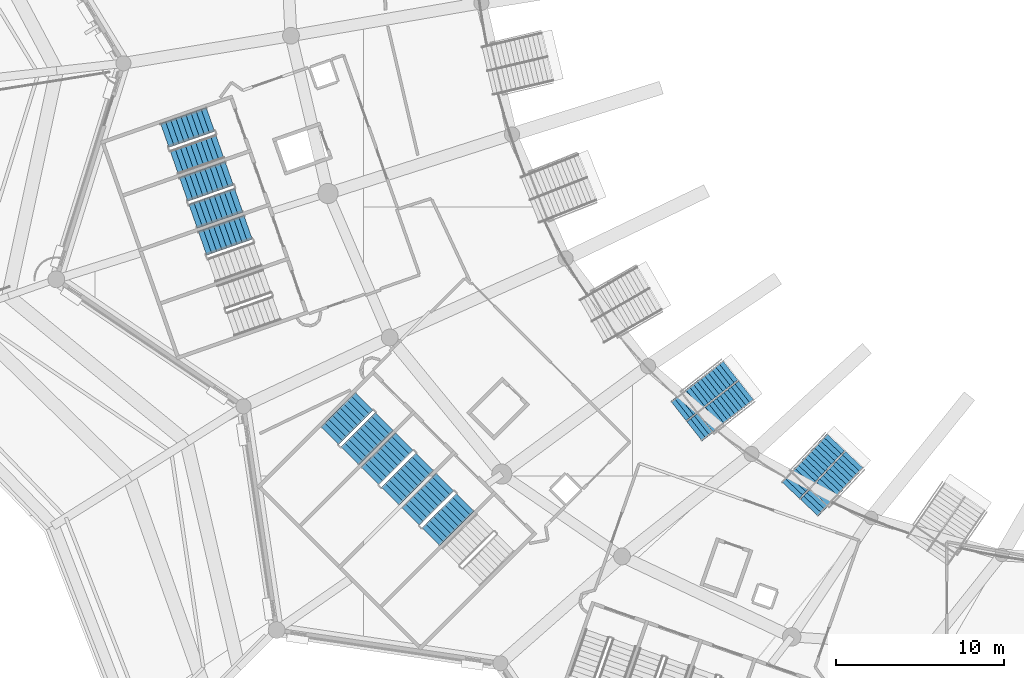
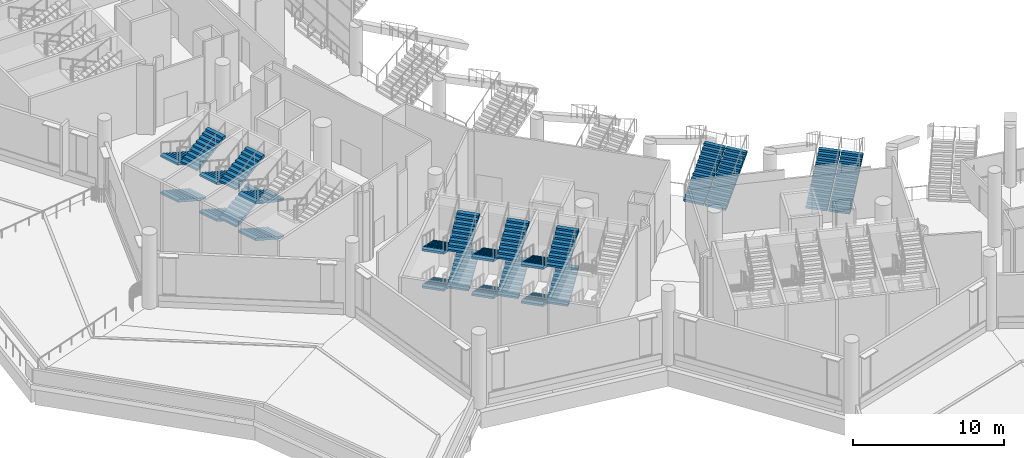
# One storey, part 81 of 173: 25 stair flights, 8 elements without a shape of their own.
"""IFC4 building model written with IfcOpenShell, lengths in metres."""

from ifc_helpers import new_model, si_unit, direction, frame, origin, place, context, subcontext, project, spatial, polyline, outline, extrude, material, type_object, element, aggregate, save


model = new_model("IFC4")

# Units and contexts
model_context = context("Model", 3, precision=1e-05, world=origin(), true_north=direction((0.0, 1.0)))
body_context = subcontext(model_context, "Body", "Model", "MODEL_VIEW")
ifc_project = project(units=[si_unit("LENGTHUNIT", "METRE"), si_unit("AREAUNIT", "SQUARE_METRE"), si_unit("VOLUMEUNIT", "CUBIC_METRE"), si_unit("PLANEANGLEUNIT", "RADIAN"), si_unit("MASSUNIT", "GRAM", prefix="KILO")], contexts=[model_context])

# Site, building, storey
site_placement = place(None, origin())
site = spatial("IfcSite", under=ifc_project, at=site_placement, CompositionType="ELEMENT")
building_placement = place(site_placement, origin())
building = spatial("IfcBuilding", under=site, at=building_placement, Name="Meseta Stadium", CompositionType="ELEMENT")
storey_placement = place(building_placement, frame((0.0, 0.0, 18.0)))
storey = spatial("IfcBuildingStorey", under=building, at=storey_placement, Name="L03", CompositionType="ELEMENT", Elevation=18.0)

# Stair, stair flights
ifc_material_1 = material(Name="Concrete C40/50", Category="concrete")
stair_type_1 = type_object("IfcStairType", Name="Exit stair 4 flights 150 mm risers", PredefinedType="HALF_TURN_STAIR", material=ifc_material_1)
stair_1_placement = place(storey_placement, origin())
stair_1 = element("IfcStair", 1, at=stair_1_placement, inside=storey, type_object=stair_type_1, Name="ST77 L03", PredefinedType="HALF_TURN_STAIR")
ifc_material_2 = material(Name="Concrete C40/50", Category="concrete")
stair_flight_type_1 = type_object("IfcStairFlightType", Name="Exit stair flight 150 mm risers, 4 per storey", PredefinedType="STRAIGHT", material=ifc_material_2)
stair_flight_1_placement = place(storey_placement, frame((-89.118408203125, -58.7841796875, 0.0), z_axis=(0.0, 0.0, 1.0), x_axis=(-0.943883331955, -0.330279057248, 0.0)))
stair_flight_1 = element("IfcStairFlight", 2, at=stair_flight_1_placement, type_object=stair_flight_type_1, Name="ST77 L03 flight 1", NumberOfRisers=10, NumberOfTreads=9, PredefinedType="STRAIGHT", RiserHeight=0.15, TreadLength=0.32, context=body_context, shape_type="SweptSolid", body=[
    extrude(outline(polyline([(0.0, 0.0), (0.0, 0.14990234375), (0.320068359375, 0.14990234375), (0.320068359375, 0.300048828125), (0.639892578125, 0.300048828125), (0.639892578125, 0.449951171875), (0.9599609375, 0.449951171875), (0.9599609375, 0.60009765625), (1.280029296875, 0.60009765625), (1.280029296875, 0.75), (1.60009765625, 0.75), (1.60009765625, 0.89990234375), (1.919921875, 0.89990234375), (1.919921875, 1.050048828125), (2.239990234375, 1.050048828125), (2.239990234375, 1.199951171875), (2.56005859375, 1.199951171875), (2.56005859375, 1.35009765625), (2.8798828125, 1.35009765625), (2.8798828125, 1.184326171875), (0.353271484375, 0.0), (0.0, 0.0)])), frame((0.0, 0.75, 0.0), z_axis=(0.0, -1.0, 0.0), x_axis=(1.0, 0.0, 0.0)), (0.0, 0.0, 1.0), 1.5),
])
stair_flight_2_placement = place(storey_placement, frame((-89.118408203125, -58.7841796875, 3.0), z_axis=(0.0, 0.0, 1.0), x_axis=(-0.943883331955, -0.330279057248, 0.0)))
stair_flight_2 = element("IfcStairFlight", 3, at=stair_flight_2_placement, type_object=stair_flight_type_1, Name="ST77 L03 flight 3", NumberOfRisers=10, NumberOfTreads=9, PredefinedType="STRAIGHT", RiserHeight=0.15, TreadLength=0.32, context=body_context, shape_type="SweptSolid", body=[
    extrude(outline(polyline([(0.0, 0.0), (0.0, 0.14990234375), (0.320068359375, 0.14990234375), (0.320068359375, 0.300048828125), (0.639892578125, 0.300048828125), (0.639892578125, 0.449951171875), (0.9599609375, 0.449951171875), (0.9599609375, 0.60009765625), (1.280029296875, 0.60009765625), (1.280029296875, 0.75), (1.60009765625, 0.75), (1.60009765625, 0.89990234375), (1.919921875, 0.89990234375), (1.919921875, 1.050048828125), (2.239990234375, 1.050048828125), (2.239990234375, 1.199951171875), (2.56005859375, 1.199951171875), (2.56005859375, 1.35009765625), (2.8798828125, 1.35009765625), (2.8798828125, 1.184326171875), (0.353271484375, 0.0), (0.0, 0.0)])), frame((0.0, 0.75, 0.0), z_axis=(0.0, -1.0, 0.0), x_axis=(1.0, 0.0, 0.0)), (0.0, 0.0, 1.0), 1.5),
])
stair_flight_3_placement = place(storey_placement, frame((-91.275390625, -61.33984375, 4.5), z_axis=(0.0, 0.0, 1.0), x_axis=(0.943883331955, 0.330279057248, 0.0)))
stair_flight_3 = element("IfcStairFlight", 4, at=stair_flight_3_placement, type_object=stair_flight_type_1, Name="ST77 L03 flight 4", NumberOfRisers=10, NumberOfTreads=9, PredefinedType="STRAIGHT", RiserHeight=0.15, TreadLength=0.32, context=body_context, shape_type="SweptSolid", body=[
    extrude(outline(polyline([(0.0, 0.0), (0.0, 0.14990234375), (0.320068359375, 0.14990234375), (0.320068359375, 0.300048828125), (0.639892578125, 0.300048828125), (0.639892578125, 0.449951171875), (0.9599609375, 0.449951171875), (0.9599609375, 0.60009765625), (1.280029296875, 0.60009765625), (1.280029296875, 0.75), (1.60009765625, 0.75), (1.60009765625, 0.89990234375), (1.919921875, 0.89990234375), (1.919921875, 1.050048828125), (2.239990234375, 1.050048828125), (2.239990234375, 1.199951171875), (2.56005859375, 1.199951171875), (2.56005859375, 1.35009765625), (2.8798828125, 1.35009765625), (2.8798828125, 1.184326171875), (0.353271484375, 0.0), (0.0, 0.0)])), frame((0.0, 0.75, 0.0), z_axis=(0.0, -1.0, 0.0), x_axis=(1.0, 0.0, 0.0)), (0.0, 0.0, 1.0), 1.5),
])
aggregate(stair_1, [stair_flight_1, stair_flight_2, stair_flight_3])

stair_2_placement = place(storey_placement, origin())
stair_2 = element("IfcStair", 5, at=stair_2_placement, inside=storey, type_object=stair_type_1, Name="ST78 L03", PredefinedType="HALF_TURN_STAIR")
stair_flight_4_placement = place(storey_placement, frame((-87.99560546875, -61.9931640625, 0.0), z_axis=(0.0, 0.0, 1.0), x_axis=(-0.943883331955, -0.330279057248, 0.0)))
stair_flight_4 = element("IfcStairFlight", 6, at=stair_flight_4_placement, type_object=stair_flight_type_1, Name="ST78 L03 flight 1", NumberOfRisers=10, NumberOfTreads=9, PredefinedType="STRAIGHT", RiserHeight=0.15, TreadLength=0.32, context=body_context, shape_type="SweptSolid", body=[
    extrude(outline(polyline([(0.0, 0.0), (0.0, 0.14990234375), (0.320068359375, 0.14990234375), (0.320068359375, 0.300048828125), (0.639892578125, 0.300048828125), (0.639892578125, 0.449951171875), (0.9599609375, 0.449951171875), (0.9599609375, 0.60009765625), (1.280029296875, 0.60009765625), (1.280029296875, 0.75), (1.60009765625, 0.75), (1.60009765625, 0.89990234375), (1.919921875, 0.89990234375), (1.919921875, 1.050048828125), (2.239990234375, 1.050048828125), (2.239990234375, 1.199951171875), (2.56005859375, 1.199951171875), (2.56005859375, 1.35009765625), (2.8798828125, 1.35009765625), (2.8798828125, 1.184326171875), (0.353271484375, 0.0), (0.0, 0.0)])), frame((0.0, 0.75, 0.0), z_axis=(0.0, -1.0, 0.0), x_axis=(1.0, 0.0, 0.0)), (0.0, 0.0, 1.0), 1.5),
])
stair_flight_5_placement = place(storey_placement, frame((-90.15234375, -64.549072265625, 1.5), z_axis=(0.0, 0.0, 1.0), x_axis=(0.943883331955, 0.330279057248, 0.0)))
stair_flight_5 = element("IfcStairFlight", 7, at=stair_flight_5_placement, type_object=stair_flight_type_1, Name="ST78 L03 flight 2", NumberOfRisers=10, NumberOfTreads=9, PredefinedType="STRAIGHT", RiserHeight=0.15, TreadLength=0.32, context=body_context, shape_type="SweptSolid", body=[
    extrude(outline(polyline([(0.0, 0.0), (0.0, 0.14990234375), (0.320068359375, 0.14990234375), (0.320068359375, 0.300048828125), (0.639892578125, 0.300048828125), (0.639892578125, 0.449951171875), (0.9599609375, 0.449951171875), (0.9599609375, 0.60009765625), (1.280029296875, 0.60009765625), (1.280029296875, 0.75), (1.60009765625, 0.75), (1.60009765625, 0.89990234375), (1.919921875, 0.89990234375), (1.919921875, 1.050048828125), (2.239990234375, 1.050048828125), (2.239990234375, 1.199951171875), (2.56005859375, 1.199951171875), (2.56005859375, 1.35009765625), (2.8798828125, 1.35009765625), (2.8798828125, 1.184326171875), (0.353271484375, 0.0), (0.0, 0.0)])), frame((0.0, 0.75, 0.0), z_axis=(0.0, -1.0, 0.0), x_axis=(1.0, 0.0, 0.0)), (0.0, 0.0, 1.0), 1.5),
])
stair_flight_6_placement = place(storey_placement, frame((-87.99560546875, -61.9931640625, 3.0), z_axis=(0.0, 0.0, 1.0), x_axis=(-0.943883331955, -0.330279057248, 0.0)))
stair_flight_6 = element("IfcStairFlight", 8, at=stair_flight_6_placement, type_object=stair_flight_type_1, Name="ST78 L03 flight 3", NumberOfRisers=10, NumberOfTreads=9, PredefinedType="STRAIGHT", RiserHeight=0.15, TreadLength=0.32, context=body_context, shape_type="SweptSolid", body=[
    extrude(outline(polyline([(0.0, 0.0), (0.0, 0.14990234375), (0.320068359375, 0.14990234375), (0.320068359375, 0.300048828125), (0.639892578125, 0.300048828125), (0.639892578125, 0.449951171875), (0.9599609375, 0.449951171875), (0.9599609375, 0.60009765625), (1.280029296875, 0.60009765625), (1.280029296875, 0.75), (1.60009765625, 0.75), (1.60009765625, 0.89990234375), (1.919921875, 0.89990234375), (1.919921875, 1.050048828125), (2.239990234375, 1.050048828125), (2.239990234375, 1.199951171875), (2.56005859375, 1.199951171875), (2.56005859375, 1.35009765625), (2.8798828125, 1.35009765625), (2.8798828125, 1.184326171875), (0.353271484375, 0.0), (0.0, 0.0)])), frame((0.0, 0.75, 0.0), z_axis=(0.0, -1.0, 0.0), x_axis=(1.0, 0.0, 0.0)), (0.0, 0.0, 1.0), 1.5),
])
stair_flight_7_placement = place(storey_placement, frame((-90.15234375, -64.549072265625, 4.5), z_axis=(0.0, 0.0, 1.0), x_axis=(0.943883331955, 0.330279057248, 0.0)))
stair_flight_7 = element("IfcStairFlight", 9, at=stair_flight_7_placement, type_object=stair_flight_type_1, Name="ST78 L03 flight 4", NumberOfRisers=10, NumberOfTreads=9, PredefinedType="STRAIGHT", RiserHeight=0.15, TreadLength=0.32, context=body_context, shape_type="SweptSolid", body=[
    extrude(outline(polyline([(0.0, 0.0), (0.0, 0.14990234375), (0.320068359375, 0.14990234375), (0.320068359375, 0.300048828125), (0.639892578125, 0.300048828125), (0.639892578125, 0.449951171875), (0.9599609375, 0.449951171875), (0.9599609375, 0.60009765625), (1.280029296875, 0.60009765625), (1.280029296875, 0.75), (1.60009765625, 0.75), (1.60009765625, 0.89990234375), (1.919921875, 0.89990234375), (1.919921875, 1.050048828125), (2.239990234375, 1.050048828125), (2.239990234375, 1.199951171875), (2.56005859375, 1.199951171875), (2.56005859375, 1.35009765625), (2.8798828125, 1.35009765625), (2.8798828125, 1.184326171875), (0.353271484375, 0.0), (0.0, 0.0)])), frame((0.0, 0.75, 0.0), z_axis=(0.0, -1.0, 0.0), x_axis=(1.0, 0.0, 0.0)), (0.0, 0.0, 1.0), 1.5),
])
aggregate(stair_2, [stair_flight_4, stair_flight_5, stair_flight_6, stair_flight_7])

stair_3_placement = place(storey_placement, origin())
stair_3 = element("IfcStair", 10, at=stair_3_placement, inside=storey, type_object=stair_type_1, Name="ST79 L03", PredefinedType="HALF_TURN_STAIR")
stair_flight_8_placement = place(storey_placement, frame((-86.87255859375, -65.202392578125, 0.0), z_axis=(0.0, 0.0, 1.0), x_axis=(-0.943883331955, -0.330279057248, 0.0)))
stair_flight_8 = element("IfcStairFlight", 11, at=stair_flight_8_placement, type_object=stair_flight_type_1, Name="ST79 L03 flight 1", NumberOfRisers=10, NumberOfTreads=9, PredefinedType="STRAIGHT", RiserHeight=0.15, TreadLength=0.32, context=body_context, shape_type="SweptSolid", body=[
    extrude(outline(polyline([(0.0, 0.0), (0.0, 0.14990234375), (0.320068359375, 0.14990234375), (0.320068359375, 0.300048828125), (0.639892578125, 0.300048828125), (0.639892578125, 0.449951171875), (0.9599609375, 0.449951171875), (0.9599609375, 0.60009765625), (1.280029296875, 0.60009765625), (1.280029296875, 0.75), (1.60009765625, 0.75), (1.60009765625, 0.89990234375), (1.919921875, 0.89990234375), (1.919921875, 1.050048828125), (2.239990234375, 1.050048828125), (2.239990234375, 1.199951171875), (2.56005859375, 1.199951171875), (2.56005859375, 1.35009765625), (2.8798828125, 1.35009765625), (2.8798828125, 1.184326171875), (0.353271484375, 0.0), (0.0, 0.0)])), frame((0.0, 0.75, 0.0), z_axis=(0.0, -1.0, 0.0), x_axis=(1.0, 0.0, 0.0)), (0.0, 0.0, 1.0), 1.5),
])
stair_flight_9_placement = place(storey_placement, frame((-86.87255859375, -65.202392578125, 3.0), z_axis=(0.0, 0.0, 1.0), x_axis=(-0.943883331955, -0.330279057248, 0.0)))
stair_flight_9 = element("IfcStairFlight", 12, at=stair_flight_9_placement, type_object=stair_flight_type_1, Name="ST79 L03 flight 3", NumberOfRisers=10, NumberOfTreads=9, PredefinedType="STRAIGHT", RiserHeight=0.15, TreadLength=0.32, context=body_context, shape_type="SweptSolid", body=[
    extrude(outline(polyline([(0.0, 0.0), (0.0, 0.14990234375), (0.320068359375, 0.14990234375), (0.320068359375, 0.300048828125), (0.639892578125, 0.300048828125), (0.639892578125, 0.449951171875), (0.9599609375, 0.449951171875), (0.9599609375, 0.60009765625), (1.280029296875, 0.60009765625), (1.280029296875, 0.75), (1.60009765625, 0.75), (1.60009765625, 0.89990234375), (1.919921875, 0.89990234375), (1.919921875, 1.050048828125), (2.239990234375, 1.050048828125), (2.239990234375, 1.199951171875), (2.56005859375, 1.199951171875), (2.56005859375, 1.35009765625), (2.8798828125, 1.35009765625), (2.8798828125, 1.184326171875), (0.353271484375, 0.0), (0.0, 0.0)])), frame((0.0, 0.75, 0.0), z_axis=(0.0, -1.0, 0.0), x_axis=(1.0, 0.0, 0.0)), (0.0, 0.0, 1.0), 1.5),
])
aggregate(stair_3, [stair_flight_8, stair_flight_9])

stair_4_placement = place(storey_placement, origin())
stair_4 = element("IfcStair", 13, at=stair_4_placement, inside=storey, type_object=stair_type_1, Name="ST81 L03", PredefinedType="HALF_TURN_STAIR")
stair_flight_10_placement = place(storey_placement, frame((-79.9765625, -75.56201171875, 0.0), z_axis=(0.0, 0.0, 1.0), x_axis=(-0.707106781187, -0.707106781187, 0.0)))
stair_flight_10 = element("IfcStairFlight", 14, at=stair_flight_10_placement, type_object=stair_flight_type_1, Name="ST81 L03 flight 1", NumberOfRisers=10, NumberOfTreads=9, PredefinedType="STRAIGHT", RiserHeight=0.15, TreadLength=0.32, context=body_context, shape_type="SweptSolid", body=[
    extrude(outline(polyline([(0.0, 0.0), (0.0, 0.14990234375), (0.320068359375, 0.14990234375), (0.320068359375, 0.300048828125), (0.639892578125, 0.300048828125), (0.639892578125, 0.449951171875), (0.9599609375, 0.449951171875), (0.9599609375, 0.60009765625), (1.280029296875, 0.60009765625), (1.280029296875, 0.75), (1.60009765625, 0.75), (1.60009765625, 0.89990234375), (1.919921875, 0.89990234375), (1.919921875, 1.050048828125), (2.239990234375, 1.050048828125), (2.239990234375, 1.199951171875), (2.56005859375, 1.199951171875), (2.56005859375, 1.35009765625), (2.8798828125, 1.35009765625), (2.8798828125, 1.184326171875), (0.353271484375, 0.0), (0.0, 0.0)])), frame((0.0, 0.75, 0.0), z_axis=(0.0, -1.0, 0.0), x_axis=(1.0, 0.0, 0.0)), (0.0, 0.0, 1.0), 1.5),
])
stair_flight_11_placement = place(storey_placement, frame((-80.810791015625, -78.800537109375, 1.5), z_axis=(0.0, 0.0, 1.0), x_axis=(0.707106781187, 0.707106781187, 0.0)))
stair_flight_11 = element("IfcStairFlight", 15, at=stair_flight_11_placement, type_object=stair_flight_type_1, Name="ST81 L03 flight 2", NumberOfRisers=10, NumberOfTreads=9, PredefinedType="STRAIGHT", RiserHeight=0.15, TreadLength=0.32, context=body_context, shape_type="SweptSolid", body=[
    extrude(outline(polyline([(0.0, 0.0), (0.0, 0.14990234375), (0.320068359375, 0.14990234375), (0.320068359375, 0.300048828125), (0.639892578125, 0.300048828125), (0.639892578125, 0.449951171875), (0.9599609375, 0.449951171875), (0.9599609375, 0.60009765625), (1.280029296875, 0.60009765625), (1.280029296875, 0.75), (1.60009765625, 0.75), (1.60009765625, 0.89990234375), (1.919921875, 0.89990234375), (1.919921875, 1.050048828125), (2.239990234375, 1.050048828125), (2.239990234375, 1.199951171875), (2.56005859375, 1.199951171875), (2.56005859375, 1.35009765625), (2.8798828125, 1.35009765625), (2.8798828125, 1.184326171875), (0.353271484375, 0.0), (0.0, 0.0)])), frame((0.0, 0.75, 0.0), z_axis=(0.0, -1.0, 0.0), x_axis=(1.0, 0.0, 0.0)), (0.0, 0.0, 1.0), 1.5),
])
stair_flight_12_placement = place(storey_placement, frame((-79.9765625, -75.56201171875, 3.0), z_axis=(0.0, 0.0, 1.0), x_axis=(-0.707106781187, -0.707106781187, 0.0)))
stair_flight_12 = element("IfcStairFlight", 16, at=stair_flight_12_placement, type_object=stair_flight_type_1, Name="ST81 L03 flight 3", NumberOfRisers=10, NumberOfTreads=9, PredefinedType="STRAIGHT", RiserHeight=0.15, TreadLength=0.32, context=body_context, shape_type="SweptSolid", body=[
    extrude(outline(polyline([(0.0, 0.0), (0.0, 0.14990234375), (0.320068359375, 0.14990234375), (0.320068359375, 0.300048828125), (0.639892578125, 0.300048828125), (0.639892578125, 0.449951171875), (0.9599609375, 0.449951171875), (0.9599609375, 0.60009765625), (1.280029296875, 0.60009765625), (1.280029296875, 0.75), (1.60009765625, 0.75), (1.60009765625, 0.89990234375), (1.919921875, 0.89990234375), (1.919921875, 1.050048828125), (2.239990234375, 1.050048828125), (2.239990234375, 1.199951171875), (2.56005859375, 1.199951171875), (2.56005859375, 1.35009765625), (2.8798828125, 1.35009765625), (2.8798828125, 1.184326171875), (0.353271484375, 0.0), (0.0, 0.0)])), frame((0.0, 0.75, 0.0), z_axis=(0.0, -1.0, 0.0), x_axis=(1.0, 0.0, 0.0)), (0.0, 0.0, 1.0), 1.5),
])
stair_flight_13_placement = place(storey_placement, frame((-80.810791015625, -78.800537109375, 4.5), z_axis=(0.0, 0.0, 1.0), x_axis=(0.707106781187, 0.707106781187, 0.0)))
stair_flight_13 = element("IfcStairFlight", 17, at=stair_flight_13_placement, type_object=stair_flight_type_1, Name="ST81 L03 flight 4", NumberOfRisers=10, NumberOfTreads=9, PredefinedType="STRAIGHT", RiserHeight=0.15, TreadLength=0.32, context=body_context, shape_type="SweptSolid", body=[
    extrude(outline(polyline([(0.0, 0.0), (0.0, 0.14990234375), (0.320068359375, 0.14990234375), (0.320068359375, 0.300048828125), (0.639892578125, 0.300048828125), (0.639892578125, 0.449951171875), (0.9599609375, 0.449951171875), (0.9599609375, 0.60009765625), (1.280029296875, 0.60009765625), (1.280029296875, 0.75), (1.60009765625, 0.75), (1.60009765625, 0.89990234375), (1.919921875, 0.89990234375), (1.919921875, 1.050048828125), (2.239990234375, 1.050048828125), (2.239990234375, 1.199951171875), (2.56005859375, 1.199951171875), (2.56005859375, 1.35009765625), (2.8798828125, 1.35009765625), (2.8798828125, 1.184326171875), (0.353271484375, 0.0), (0.0, 0.0)])), frame((0.0, 0.75, 0.0), z_axis=(0.0, -1.0, 0.0), x_axis=(1.0, 0.0, 0.0)), (0.0, 0.0, 1.0), 1.5),
])
aggregate(stair_4, [stair_flight_10, stair_flight_11, stair_flight_12, stair_flight_13])

stair_5_placement = place(storey_placement, origin())
stair_5 = element("IfcStair", 18, at=stair_5_placement, inside=storey, type_object=stair_type_1, Name="ST82 L03", PredefinedType="HALF_TURN_STAIR")
stair_flight_14_placement = place(storey_placement, frame((-77.572265625, -77.966064453125, 0.0), z_axis=(0.0, 0.0, 1.0), x_axis=(-0.707106781187, -0.707106781187, 0.0)))
stair_flight_14 = element("IfcStairFlight", 19, at=stair_flight_14_placement, type_object=stair_flight_type_1, Name="ST82 L03 flight 1", NumberOfRisers=10, NumberOfTreads=9, PredefinedType="STRAIGHT", RiserHeight=0.15, TreadLength=0.32, context=body_context, shape_type="SweptSolid", body=[
    extrude(outline(polyline([(0.0, 0.0), (0.0, 0.14990234375), (0.320068359375, 0.14990234375), (0.320068359375, 0.300048828125), (0.639892578125, 0.300048828125), (0.639892578125, 0.449951171875), (0.9599609375, 0.449951171875), (0.9599609375, 0.60009765625), (1.280029296875, 0.60009765625), (1.280029296875, 0.75), (1.60009765625, 0.75), (1.60009765625, 0.89990234375), (1.919921875, 0.89990234375), (1.919921875, 1.050048828125), (2.239990234375, 1.050048828125), (2.239990234375, 1.199951171875), (2.56005859375, 1.199951171875), (2.56005859375, 1.35009765625), (2.8798828125, 1.35009765625), (2.8798828125, 1.184326171875), (0.353271484375, 0.0), (0.0, 0.0)])), frame((0.0, 0.75, 0.0), z_axis=(0.0, -1.0, 0.0), x_axis=(1.0, 0.0, 0.0)), (0.0, 0.0, 1.0), 1.5),
])
stair_flight_15_placement = place(storey_placement, frame((-78.40673828125, -81.20458984375, 1.5), z_axis=(0.0, 0.0, 1.0), x_axis=(0.707106781187, 0.707106781187, 0.0)))
stair_flight_15 = element("IfcStairFlight", 20, at=stair_flight_15_placement, type_object=stair_flight_type_1, Name="ST82 L03 flight 2", NumberOfRisers=10, NumberOfTreads=9, PredefinedType="STRAIGHT", RiserHeight=0.15, TreadLength=0.32, context=body_context, shape_type="SweptSolid", body=[
    extrude(outline(polyline([(0.0, 0.0), (0.0, 0.14990234375), (0.320068359375, 0.14990234375), (0.320068359375, 0.300048828125), (0.639892578125, 0.300048828125), (0.639892578125, 0.449951171875), (0.9599609375, 0.449951171875), (0.9599609375, 0.60009765625), (1.280029296875, 0.60009765625), (1.280029296875, 0.75), (1.60009765625, 0.75), (1.60009765625, 0.89990234375), (1.919921875, 0.89990234375), (1.919921875, 1.050048828125), (2.239990234375, 1.050048828125), (2.239990234375, 1.199951171875), (2.56005859375, 1.199951171875), (2.56005859375, 1.35009765625), (2.8798828125, 1.35009765625), (2.8798828125, 1.184326171875), (0.353271484375, 0.0), (0.0, 0.0)])), frame((0.0, 0.75, 0.0), z_axis=(0.0, -1.0, 0.0), x_axis=(1.0, 0.0, 0.0)), (0.0, 0.0, 1.0), 1.5),
])
stair_flight_16_placement = place(storey_placement, frame((-77.572265625, -77.966064453125, 3.0), z_axis=(0.0, 0.0, 1.0), x_axis=(-0.707106781187, -0.707106781187, 0.0)))
stair_flight_16 = element("IfcStairFlight", 21, at=stair_flight_16_placement, type_object=stair_flight_type_1, Name="ST82 L03 flight 3", NumberOfRisers=10, NumberOfTreads=9, PredefinedType="STRAIGHT", RiserHeight=0.15, TreadLength=0.32, context=body_context, shape_type="SweptSolid", body=[
    extrude(outline(polyline([(0.0, 0.0), (0.0, 0.14990234375), (0.320068359375, 0.14990234375), (0.320068359375, 0.300048828125), (0.639892578125, 0.300048828125), (0.639892578125, 0.449951171875), (0.9599609375, 0.449951171875), (0.9599609375, 0.60009765625), (1.280029296875, 0.60009765625), (1.280029296875, 0.75), (1.60009765625, 0.75), (1.60009765625, 0.89990234375), (1.919921875, 0.89990234375), (1.919921875, 1.050048828125), (2.239990234375, 1.050048828125), (2.239990234375, 1.199951171875), (2.56005859375, 1.199951171875), (2.56005859375, 1.35009765625), (2.8798828125, 1.35009765625), (2.8798828125, 1.184326171875), (0.353271484375, 0.0), (0.0, 0.0)])), frame((0.0, 0.75, 0.0), z_axis=(0.0, -1.0, 0.0), x_axis=(1.0, 0.0, 0.0)), (0.0, 0.0, 1.0), 1.5),
])
stair_flight_17_placement = place(storey_placement, frame((-78.40673828125, -81.20458984375, 4.5), z_axis=(0.0, 0.0, 1.0), x_axis=(0.707106781187, 0.707106781187, 0.0)))
stair_flight_17 = element("IfcStairFlight", 22, at=stair_flight_17_placement, type_object=stair_flight_type_1, Name="ST82 L03 flight 4", NumberOfRisers=10, NumberOfTreads=9, PredefinedType="STRAIGHT", RiserHeight=0.15, TreadLength=0.32, context=body_context, shape_type="SweptSolid", body=[
    extrude(outline(polyline([(0.0, 0.0), (0.0, 0.14990234375), (0.320068359375, 0.14990234375), (0.320068359375, 0.300048828125), (0.639892578125, 0.300048828125), (0.639892578125, 0.449951171875), (0.9599609375, 0.449951171875), (0.9599609375, 0.60009765625), (1.280029296875, 0.60009765625), (1.280029296875, 0.75), (1.60009765625, 0.75), (1.60009765625, 0.89990234375), (1.919921875, 0.89990234375), (1.919921875, 1.050048828125), (2.239990234375, 1.050048828125), (2.239990234375, 1.199951171875), (2.56005859375, 1.199951171875), (2.56005859375, 1.35009765625), (2.8798828125, 1.35009765625), (2.8798828125, 1.184326171875), (0.353271484375, 0.0), (0.0, 0.0)])), frame((0.0, 0.75, 0.0), z_axis=(0.0, -1.0, 0.0), x_axis=(1.0, 0.0, 0.0)), (0.0, 0.0, 1.0), 1.5),
])
aggregate(stair_5, [stair_flight_14, stair_flight_15, stair_flight_16, stair_flight_17])

stair_6_placement = place(storey_placement, origin())
stair_6 = element("IfcStair", 23, at=stair_6_placement, inside=storey, type_object=stair_type_1, Name="ST83 L03", PredefinedType="HALF_TURN_STAIR")
stair_flight_18_placement = place(storey_placement, frame((-75.168212890625, -80.3701171875, 0.0), z_axis=(0.0, 0.0, 1.0), x_axis=(-0.707106781187, -0.707106781187, 0.0)))
stair_flight_18 = element("IfcStairFlight", 24, at=stair_flight_18_placement, type_object=stair_flight_type_1, Name="ST83 L03 flight 1", NumberOfRisers=10, NumberOfTreads=9, PredefinedType="STRAIGHT", RiserHeight=0.15, TreadLength=0.32, context=body_context, shape_type="SweptSolid", body=[
    extrude(outline(polyline([(0.0, 0.0), (0.0, 0.14990234375), (0.320068359375, 0.14990234375), (0.320068359375, 0.300048828125), (0.639892578125, 0.300048828125), (0.639892578125, 0.449951171875), (0.9599609375, 0.449951171875), (0.9599609375, 0.60009765625), (1.280029296875, 0.60009765625), (1.280029296875, 0.75), (1.60009765625, 0.75), (1.60009765625, 0.89990234375), (1.919921875, 0.89990234375), (1.919921875, 1.050048828125), (2.239990234375, 1.050048828125), (2.239990234375, 1.199951171875), (2.56005859375, 1.199951171875), (2.56005859375, 1.35009765625), (2.8798828125, 1.35009765625), (2.8798828125, 1.184326171875), (0.353271484375, 0.0), (0.0, 0.0)])), frame((0.0, 0.75, 0.0), z_axis=(0.0, -1.0, 0.0), x_axis=(1.0, 0.0, 0.0)), (0.0, 0.0, 1.0), 1.5),
])
stair_flight_19_placement = place(storey_placement, frame((-76.00244140625, -83.60888671875, 1.5), z_axis=(0.0, 0.0, 1.0), x_axis=(0.707106781187, 0.707106781187, 0.0)))
stair_flight_19 = element("IfcStairFlight", 25, at=stair_flight_19_placement, type_object=stair_flight_type_1, Name="ST83 L03 flight 2", NumberOfRisers=10, NumberOfTreads=9, PredefinedType="STRAIGHT", RiserHeight=0.15, TreadLength=0.32, context=body_context, shape_type="SweptSolid", body=[
    extrude(outline(polyline([(0.0, 0.0), (0.0, 0.14990234375), (0.320068359375, 0.14990234375), (0.320068359375, 0.300048828125), (0.639892578125, 0.300048828125), (0.639892578125, 0.449951171875), (0.9599609375, 0.449951171875), (0.9599609375, 0.60009765625), (1.280029296875, 0.60009765625), (1.280029296875, 0.75), (1.60009765625, 0.75), (1.60009765625, 0.89990234375), (1.919921875, 0.89990234375), (1.919921875, 1.050048828125), (2.239990234375, 1.050048828125), (2.239990234375, 1.199951171875), (2.56005859375, 1.199951171875), (2.56005859375, 1.35009765625), (2.8798828125, 1.35009765625), (2.8798828125, 1.184326171875), (0.353271484375, 0.0), (0.0, 0.0)])), frame((0.0, 0.75, 0.0), z_axis=(0.0, -1.0, 0.0), x_axis=(1.0, 0.0, 0.0)), (0.0, 0.0, 1.0), 1.5),
])
stair_flight_20_placement = place(storey_placement, frame((-75.168212890625, -80.3701171875, 3.0), z_axis=(0.0, 0.0, 1.0), x_axis=(-0.707106781187, -0.707106781187, 0.0)))
stair_flight_20 = element("IfcStairFlight", 26, at=stair_flight_20_placement, type_object=stair_flight_type_1, Name="ST83 L03 flight 3", NumberOfRisers=10, NumberOfTreads=9, PredefinedType="STRAIGHT", RiserHeight=0.15, TreadLength=0.32, context=body_context, shape_type="SweptSolid", body=[
    extrude(outline(polyline([(0.0, 0.0), (0.0, 0.14990234375), (0.320068359375, 0.14990234375), (0.320068359375, 0.300048828125), (0.639892578125, 0.300048828125), (0.639892578125, 0.449951171875), (0.9599609375, 0.449951171875), (0.9599609375, 0.60009765625), (1.280029296875, 0.60009765625), (1.280029296875, 0.75), (1.60009765625, 0.75), (1.60009765625, 0.89990234375), (1.919921875, 0.89990234375), (1.919921875, 1.050048828125), (2.239990234375, 1.050048828125), (2.239990234375, 1.199951171875), (2.56005859375, 1.199951171875), (2.56005859375, 1.35009765625), (2.8798828125, 1.35009765625), (2.8798828125, 1.184326171875), (0.353271484375, 0.0), (0.0, 0.0)])), frame((0.0, 0.75, 0.0), z_axis=(0.0, -1.0, 0.0), x_axis=(1.0, 0.0, 0.0)), (0.0, 0.0, 1.0), 1.5),
])
stair_flight_21_placement = place(storey_placement, frame((-76.00244140625, -83.60888671875, 4.5), z_axis=(0.0, 0.0, 1.0), x_axis=(0.707106781187, 0.707106781187, 0.0)))
stair_flight_21 = element("IfcStairFlight", 27, at=stair_flight_21_placement, type_object=stair_flight_type_1, Name="ST83 L03 flight 4", NumberOfRisers=10, NumberOfTreads=9, PredefinedType="STRAIGHT", RiserHeight=0.15, TreadLength=0.32, context=body_context, shape_type="SweptSolid", body=[
    extrude(outline(polyline([(0.0, 0.0), (0.0, 0.14990234375), (0.320068359375, 0.14990234375), (0.320068359375, 0.300048828125), (0.639892578125, 0.300048828125), (0.639892578125, 0.449951171875), (0.9599609375, 0.449951171875), (0.9599609375, 0.60009765625), (1.280029296875, 0.60009765625), (1.280029296875, 0.75), (1.60009765625, 0.75), (1.60009765625, 0.89990234375), (1.919921875, 0.89990234375), (1.919921875, 1.050048828125), (2.239990234375, 1.050048828125), (2.239990234375, 1.199951171875), (2.56005859375, 1.199951171875), (2.56005859375, 1.35009765625), (2.8798828125, 1.35009765625), (2.8798828125, 1.184326171875), (0.353271484375, 0.0), (0.0, 0.0)])), frame((0.0, 0.75, 0.0), z_axis=(0.0, -1.0, 0.0), x_axis=(1.0, 0.0, 0.0)), (0.0, 0.0, 1.0), 1.5),
])
aggregate(stair_6, [stair_flight_18, stair_flight_19, stair_flight_20, stair_flight_21])

ifc_material_3 = material(Name="Concrete C40/50", Category="concrete")
stair_type_2 = type_object("IfcStairType", Name="Vomitory stair 3000", PredefinedType="STRAIGHT_RUN_STAIR", material=ifc_material_3)
stair_7_placement = place(storey_placement, origin())
stair_7 = element("IfcStair", 28, at=stair_7_placement, inside=storey, type_object=stair_type_2, Name="Vomitory V-upper-41", PredefinedType="STRAIGHT_RUN_STAIR")
ifc_material_4 = material(Name="Concrete C40/50", Category="concrete")
stair_flight_type_2 = type_object("IfcStairFlightType", Name="Vomitory stair flight 1450", PredefinedType="STRAIGHT", material=ifc_material_4)
stair_flight_22_placement = place(storey_placement, frame((-61.261962890625, -76.1298828125, 0.0), z_axis=(0.0, 0.0, 1.0), x_axis=(0.786141751877, 0.618046232862, 0.0)))
stair_flight_22 = element("IfcStairFlight", 29, at=stair_flight_22_placement, type_object=stair_flight_type_2, Name="Vomitory V-upper-41 flight 1", NumberOfRisers=15, NumberOfTreads=14, PredefinedType="STRAIGHT", RiserHeight=0.164945, TreadLength=0.28, context=body_context, shape_type="SweptSolid", body=[
    extrude(outline(polyline([(0.0, 0.0), (0.0, 0.1650390625), (0.280029296875, 0.1650390625), (0.280029296875, 0.329833984375), (0.56005859375, 0.329833984375), (0.56005859375, 0.494873046875), (0.840087890625, 0.494873046875), (0.840087890625, 0.65966796875), (1.1201171875, 0.65966796875), (1.1201171875, 0.82470703125), (1.39990234375, 0.82470703125), (1.39990234375, 0.98974609375), (1.679931640625, 0.98974609375), (1.679931640625, 1.154541015625), (1.9599609375, 1.154541015625), (1.9599609375, 1.319580078125), (2.239990234375, 1.319580078125), (2.239990234375, 1.484619140625), (2.52001953125, 1.484619140625), (2.52001953125, 1.6494140625), (2.800048828125, 1.6494140625), (2.800048828125, 1.814453125), (3.080078125, 1.814453125), (3.080078125, 1.979248046875), (3.360107421875, 1.979248046875), (3.360107421875, 2.144287109375), (3.639892578125, 2.144287109375), (3.639892578125, 2.309326171875), (3.919921875, 2.309326171875), (3.919921875, 2.13525390625), (0.29541015625, 0.0), (0.0, 0.0)])), frame((0.0, 0.72509765625, 0.0), z_axis=(0.0, -1.0, 0.0), x_axis=(1.0, 0.0, 0.0)), (0.0, 0.0, 1.0), 1.449951171875),
])
stair_flight_23_placement = place(storey_placement, frame((-60.303955078125, -77.348388671875, 0.0), z_axis=(0.0, 0.0, 1.0), x_axis=(0.786141751877, 0.618046232862, 0.0)))
stair_flight_23 = element("IfcStairFlight", 30, at=stair_flight_23_placement, type_object=stair_flight_type_2, Name="Vomitory V-upper-41 flight 2", NumberOfRisers=15, NumberOfTreads=14, PredefinedType="STRAIGHT", RiserHeight=0.164945, TreadLength=0.28, context=body_context, shape_type="SweptSolid", body=[
    extrude(outline(polyline([(0.0, 0.0), (0.0, 0.1650390625), (0.280029296875, 0.1650390625), (0.280029296875, 0.329833984375), (0.56005859375, 0.329833984375), (0.56005859375, 0.494873046875), (0.840087890625, 0.494873046875), (0.840087890625, 0.65966796875), (1.1201171875, 0.65966796875), (1.1201171875, 0.82470703125), (1.39990234375, 0.82470703125), (1.39990234375, 0.98974609375), (1.679931640625, 0.98974609375), (1.679931640625, 1.154541015625), (1.9599609375, 1.154541015625), (1.9599609375, 1.319580078125), (2.239990234375, 1.319580078125), (2.239990234375, 1.484619140625), (2.52001953125, 1.484619140625), (2.52001953125, 1.6494140625), (2.800048828125, 1.6494140625), (2.800048828125, 1.814453125), (3.080078125, 1.814453125), (3.080078125, 1.979248046875), (3.360107421875, 1.979248046875), (3.360107421875, 2.144287109375), (3.639892578125, 2.144287109375), (3.639892578125, 2.309326171875), (3.919921875, 2.309326171875), (3.919921875, 2.13525390625), (0.29541015625, 0.0), (0.0, 0.0)])), frame((0.0, 0.72509765625, 0.0), z_axis=(0.0, -1.0, 0.0), x_axis=(1.0, 0.0, 0.0)), (0.0, 0.0, 1.0), 1.449951171875),
])
aggregate(stair_7, [stair_flight_22, stair_flight_23])

stair_8_placement = place(storey_placement, origin())
stair_8 = element("IfcStair", 31, at=stair_8_placement, inside=storey, type_object=stair_type_2, Name="Vomitory V-upper-42", PredefinedType="STRAIGHT_RUN_STAIR")
stair_flight_24_placement = place(storey_placement, frame((-54.595947265625, -80.83837890625, 0.0), z_axis=(0.0, 0.0, 1.0), x_axis=(0.686064733008, 0.72754050205, 0.0)))
stair_flight_24 = element("IfcStairFlight", 32, at=stair_flight_24_placement, type_object=stair_flight_type_2, Name="Vomitory V-upper-42 flight 1", NumberOfRisers=15, NumberOfTreads=14, PredefinedType="STRAIGHT", RiserHeight=0.164873, TreadLength=0.28, context=body_context, shape_type="SweptSolid", body=[
    extrude(outline(polyline([(0.0, 0.0), (0.0, 0.164794921875), (0.280029296875, 0.164794921875), (0.280029296875, 0.329833984375), (0.56005859375, 0.329833984375), (0.56005859375, 0.49462890625), (0.840087890625, 0.49462890625), (0.840087890625, 0.659423828125), (1.1201171875, 0.659423828125), (1.1201171875, 0.824462890625), (1.39990234375, 0.824462890625), (1.39990234375, 0.9892578125), (1.679931640625, 0.9892578125), (1.679931640625, 1.154052734375), (1.9599609375, 1.154052734375), (1.9599609375, 1.319091796875), (2.239990234375, 1.319091796875), (2.239990234375, 1.48388671875), (2.52001953125, 1.48388671875), (2.52001953125, 1.648681640625), (2.800048828125, 1.648681640625), (2.800048828125, 1.813720703125), (3.080078125, 1.813720703125), (3.080078125, 1.978515625), (3.360107421875, 1.978515625), (3.360107421875, 2.143310546875), (3.639892578125, 2.143310546875), (3.639892578125, 2.30810546875), (3.919921875, 2.30810546875), (3.919921875, 2.13427734375), (0.29541015625, 0.0), (0.0, 0.0)])), frame((0.0, 0.72509765625, 0.0), z_axis=(0.0, -1.0, 0.0), x_axis=(1.0, 0.0, 0.0)), (0.0, 0.0, 1.0), 1.449951171875),
])
stair_flight_25_placement = place(storey_placement, frame((-53.46826171875, -81.90185546875, 0.0), z_axis=(0.0, 0.0, 1.0), x_axis=(0.686064733008, 0.72754050205, 0.0)))
stair_flight_25 = element("IfcStairFlight", 33, at=stair_flight_25_placement, type_object=stair_flight_type_2, Name="Vomitory V-upper-42 flight 2", NumberOfRisers=15, NumberOfTreads=14, PredefinedType="STRAIGHT", RiserHeight=0.164873, TreadLength=0.28, context=body_context, shape_type="SweptSolid", body=[
    extrude(outline(polyline([(0.0, 0.0), (0.0, 0.164794921875), (0.280029296875, 0.164794921875), (0.280029296875, 0.329833984375), (0.56005859375, 0.329833984375), (0.56005859375, 0.49462890625), (0.840087890625, 0.49462890625), (0.840087890625, 0.659423828125), (1.1201171875, 0.659423828125), (1.1201171875, 0.824462890625), (1.39990234375, 0.824462890625), (1.39990234375, 0.9892578125), (1.679931640625, 0.9892578125), (1.679931640625, 1.154052734375), (1.9599609375, 1.154052734375), (1.9599609375, 1.319091796875), (2.239990234375, 1.319091796875), (2.239990234375, 1.48388671875), (2.52001953125, 1.48388671875), (2.52001953125, 1.648681640625), (2.800048828125, 1.648681640625), (2.800048828125, 1.813720703125), (3.080078125, 1.813720703125), (3.080078125, 1.978515625), (3.360107421875, 1.978515625), (3.360107421875, 2.143310546875), (3.639892578125, 2.143310546875), (3.639892578125, 2.30810546875), (3.919921875, 2.30810546875), (3.919921875, 2.13427734375), (0.29541015625, 0.0), (0.0, 0.0)])), frame((0.0, 0.72509765625, 0.0), z_axis=(0.0, -1.0, 0.0), x_axis=(1.0, 0.0, 0.0)), (0.0, 0.0, 1.0), 1.449951171875),
])
aggregate(stair_8, [stair_flight_24, stair_flight_25])

save(model, "model.ifc")
